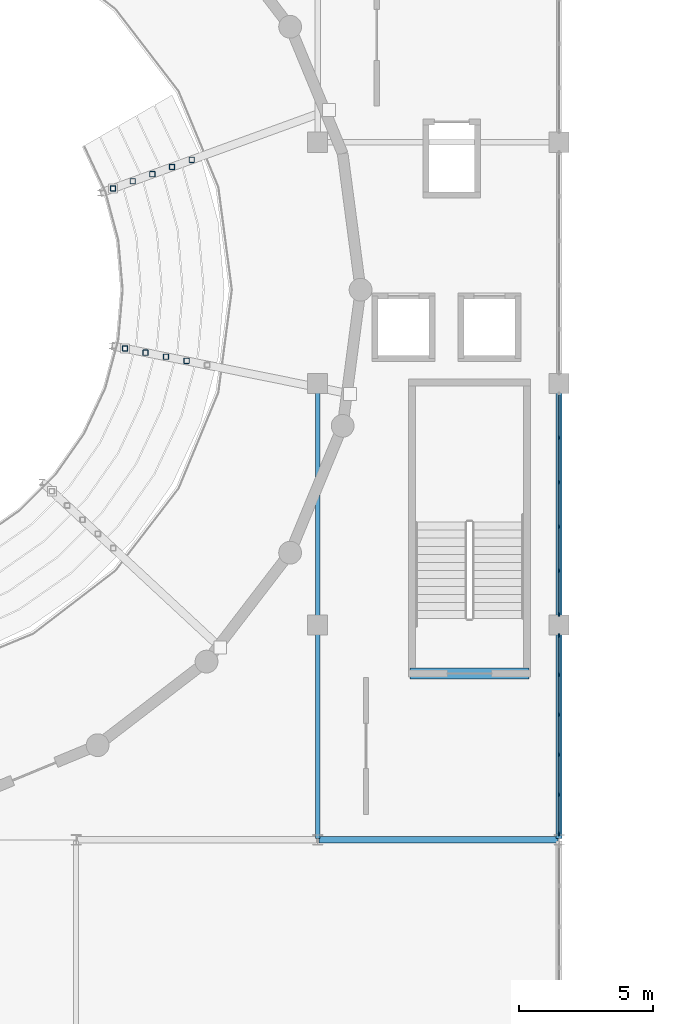
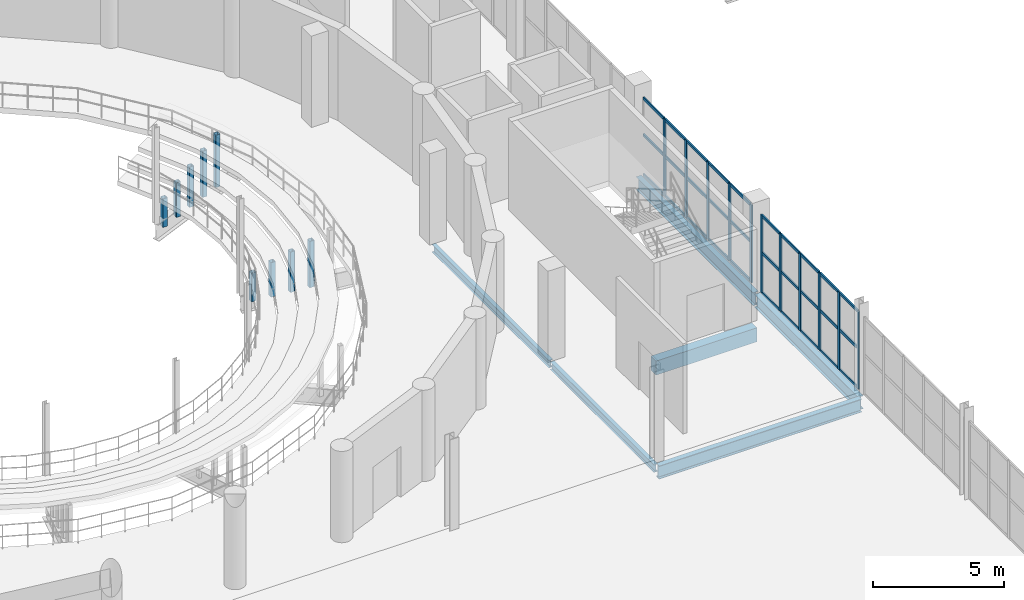
# One storey, part 34 of 85: 50 members, 6 beams, 2 elements without a shape of their own.
"""IFC4 building model written with IfcOpenShell, lengths in metres."""

from ifc_helpers import new_model, si_unit, direction, frame, origin, origin_2d, place, context, subcontext, project, spatial, rectangle, hollow_rectangle, i_section, extrude, material, layer, layer_set, material_profile, profile_set, type_object, element, aggregate, save


model = new_model("IFC4")

# Units and contexts
model_context = context("Model", 3, precision=1e-05, world=origin(), true_north=direction((0.0, 1.0)))
body_context = subcontext(model_context, "Body", "Model", "MODEL_VIEW")
ifc_project = project(units=[si_unit("LENGTHUNIT", "METRE"), si_unit("AREAUNIT", "SQUARE_METRE"), si_unit("VOLUMEUNIT", "CUBIC_METRE"), si_unit("PLANEANGLEUNIT", "RADIAN"), si_unit("MASSUNIT", "GRAM", prefix="KILO")], contexts=[model_context])

# Site, building, storey
site_placement = place(None, origin())
site = spatial("IfcSite", under=ifc_project, at=site_placement, CompositionType="ELEMENT")
building_placement = place(site_placement, origin())
building = spatial("IfcBuilding", under=site, at=building_placement, Name="Marnock Terrace Opera House", CompositionType="ELEMENT")
storey_placement = place(building_placement, frame((0.0, 0.0, 10.199951171875)))
storey = spatial("IfcBuildingStorey", under=building, at=storey_placement, Name="L02", CompositionType="ELEMENT", Elevation=10.199951171875)

# Beams
ifc_material_1 = material(Name="Steel Grade 350 (AS/NZS 3679.1)", Category="steel")
ifc_material_profile_1 = material_profile(ifc_material_1, i_section(OverallWidth=0.1708984375, OverallDepth=0.355712890625, WebThickness=0.00732421875, FlangeThickness=0.011474609375, FilletRadius=0.011474609375, at=origin_2d()))
ifc_profile_set_1 = profile_set([ifc_material_profile_1], Name="Steel Grade 350 (AS/NZS 3679.1)")
beam_type_1 = type_object("IfcBeamType", Name="BM-GIRD-360", PredefinedType="BEAM", material=ifc_profile_set_1)
beam_1_placement = place(storey_placement, frame((100.0, 40.050048828125, -0.437744140625), z_axis=(0.0, 1.0, 0.0), x_axis=(-1.0, 0.0, 0.0)))
element("IfcBeam", 1, at=beam_1_placement, inside=storey, type_object=beam_type_1, Name="L02 girder (X=100.0, 40.0..48.0)", PredefinedType="BEAM", context=body_context, shape_type="SweptSolid", body=[
    extrude(i_section(OverallWidth=0.1708984375, OverallDepth=0.355712890625, WebThickness=0.00732421875, FlangeThickness=0.011474609375, FilletRadius=0.011474609375, at=origin_2d()), origin(), (0.0, 0.0, 1.0), 7.89990234375),
])
beam_2_placement = place(storey_placement, frame((100.0, 48.050048828125, -0.437744140625), z_axis=(0.0, 1.0, 0.0), x_axis=(-1.0, 0.0, 0.0)))
element("IfcBeam", 2, at=beam_2_placement, inside=storey, type_object=beam_type_1, Name="L02 girder (X=100.0, 48.0..57.0)", PredefinedType="BEAM", context=body_context, shape_type="SweptSolid", body=[
    extrude(i_section(OverallWidth=0.1708984375, OverallDepth=0.355712890625, WebThickness=0.00732421875, FlangeThickness=0.011474609375, FilletRadius=0.011474609375, at=origin_2d()), origin(), (0.0, 0.0, 1.0), 8.89990234375),
])
ifc_material_profile_2 = material_profile(ifc_material_1, i_section(OverallWidth=0.22900390625, OverallDepth=0.611572265625, WebThickness=0.011962890625, FlangeThickness=0.01953125, FilletRadius=0.013916015625, at=origin_2d()))
ifc_profile_set_2 = profile_set([ifc_material_profile_2], Name="Steel Grade 350 (AS/NZS 3679.1)")
beam_type_2 = type_object("IfcBeamType", Name="BM-GIRD-610A", PredefinedType="BEAM", material=ifc_profile_set_2)
beam_3_placement = place(storey_placement, frame((100.050048828125, 40.0, -0.565673828125), z_axis=(1.0, 0.0, 0.0), x_axis=(0.0, 1.0, 0.0)))
element("IfcBeam", 3, at=beam_3_placement, inside=storey, type_object=beam_type_2, Name="L02 girder (100.0..109.0, Y=40.0)", PredefinedType="BEAM", context=body_context, shape_type="SweptSolid", body=[
    extrude(i_section(OverallWidth=0.22900390625, OverallDepth=0.611572265625, WebThickness=0.011962890625, FlangeThickness=0.01953125, FilletRadius=0.013916015625, at=origin_2d()), origin(), (0.0, 0.0, 1.0), 8.89990234375),
])
ifc_material_profile_3 = material_profile(ifc_material_1, i_section(OverallWidth=0.22802734375, OverallDepth=0.60205078125, WebThickness=0.010498046875, FlangeThickness=0.014892578125, FilletRadius=0.013916015625, at=origin_2d()))
ifc_profile_set_3 = profile_set([ifc_material_profile_3], Name="Steel Grade 350 (AS/NZS 3679.1)")
beam_type_3 = type_object("IfcBeamType", Name="BM-GIRD-610C", PredefinedType="BEAM", material=ifc_profile_set_3)
beam_4_placement = place(storey_placement, frame((109.0, 40.050048828125, -0.56103515625), z_axis=(0.0, 1.0, 0.0), x_axis=(-1.0, 0.0, 0.0)))
element("IfcBeam", 4, at=beam_4_placement, inside=storey, type_object=beam_type_3, Name="L02 girder (X=109.0, 40.0..48.0)", PredefinedType="BEAM", context=body_context, shape_type="SweptSolid", body=[
    extrude(i_section(OverallWidth=0.22802734375, OverallDepth=0.60205078125, WebThickness=0.010498046875, FlangeThickness=0.014892578125, FilletRadius=0.013916015625, at=origin_2d()), origin(), (0.0, 0.0, 1.0), 7.89990234375),
])
beam_5_placement = place(storey_placement, frame((109.0, 48.050048828125, -0.56103515625), z_axis=(0.0, 1.0, 0.0), x_axis=(-1.0, 0.0, 0.0)))
element("IfcBeam", 5, at=beam_5_placement, inside=storey, type_object=beam_type_3, Name="L02 girder (X=109.0, 48.0..57.0)", PredefinedType="BEAM", context=body_context, shape_type="SweptSolid", body=[
    extrude(i_section(OverallWidth=0.22802734375, OverallDepth=0.60205078125, WebThickness=0.010498046875, FlangeThickness=0.014892578125, FilletRadius=0.013916015625, at=origin_2d()), origin(), (0.0, 0.0, 1.0), 8.89990234375),
])
ifc_material_2 = material(Name="Concrete N40 (f'c = 40 MPa)", Category="concrete")
ifc_material_profile_4 = material_profile(ifc_material_2, rectangle(XDim=0.39990234375, YDim=0.64990234375, at=origin_2d()))
ifc_profile_set_4 = profile_set([ifc_material_profile_4], Name="Concrete N40 (f'c = 40 MPa)")
beam_type_4 = type_object("IfcBeamType", Name="BM-LINT-RC400", PredefinedType="LINTEL", material=ifc_profile_set_4)
beam_6_placement = place(storey_placement, frame((103.43994140625, 46.199951171875, -0.60986328125), z_axis=(1.0, 0.0, 0.0), x_axis=(0.0, 1.0, 0.0)))
element("IfcBeam", 6, at=beam_6_placement, inside=storey, type_object=beam_type_4, Name="L01 Core C2 coupling lintel", PredefinedType="LINTEL", context=body_context, shape_type="SweptSolid", body=[
    extrude(rectangle(XDim=0.39990234375, YDim=0.64990234375, at=origin_2d()), origin(), (0.0, 0.0, 1.0), 4.43994140625),
])

# Curtain wall, members
ifc_material_3 = material(Name="Anodised architectural bronze aluminium framing", Category="aluminium")
ifc_layer_1 = layer(ifc_material_3, 0.159912109375)
ifc_layer_set_1 = layer_set([ifc_layer_1], Name="Anodised architectural bronze aluminium framing")
curtain_wall_type_1 = type_object("IfcCurtainWallType", Name="CW-FOYER-80x42", PredefinedType="NOTDEFINED", material=ifc_layer_set_1)
curtain_wall_1_placement = place(storey_placement, origin())
curtain_wall_1 = element("IfcCurtainWall", 7, at=curtain_wall_1_placement, inside=storey, type_object=curtain_wall_type_1, Name="L02 glazed Beaux-Arts colonnade curtain wall CW-V1E-L02-05", PredefinedType="NOTDEFINED")
ifc_material_profile_5 = material_profile(ifc_material_3, rectangle(XDim=0.06005859375, YDim=0.14990234375, at=origin_2d()))
ifc_profile_set_5 = profile_set([ifc_material_profile_5], Name="Anodised architectural bronze aluminium framing")
member_type_1 = type_object("IfcMemberType", Name="CWM-60x150", PredefinedType="MULLION", material=ifc_profile_set_5)
member_1_placement = place(storey_placement, frame((109.0, 40.22607421875, 0.0), z_axis=(0.0, 0.0, 1.0), x_axis=(-1.0, 0.0, 0.0)))
member_1 = element("IfcMember", 8, at=member_1_placement, type_object=member_type_1, Name="CW-62 mullion 1", PredefinedType="MULLION", context=body_context, shape_type="SweptSolid", body=[
    extrude(rectangle(XDim=0.06005859375, YDim=0.14990234375, at=origin_2d()), origin(), (0.0, 0.0, 1.0), 3.608154296875),
])
member_2_placement = place(storey_placement, frame((109.0, 41.6826171875, 0.0), z_axis=(0.0, 0.0, 1.0), x_axis=(-1.0, 0.0, 0.0)))
member_2 = element("IfcMember", 9, at=member_2_placement, type_object=member_type_1, Name="CW-62 mullion 2", PredefinedType="MULLION", context=body_context, shape_type="SweptSolid", body=[
    extrude(rectangle(XDim=0.06005859375, YDim=0.14990234375, at=origin_2d()), origin(), (0.0, 0.0, 1.0), 3.608154296875),
])
member_3_placement = place(storey_placement, frame((109.0, 43.169189453125, 0.0), z_axis=(0.0, 0.0, 1.0), x_axis=(-1.0, 0.0, 0.0)))
member_3 = element("IfcMember", 10, at=member_3_placement, type_object=member_type_1, Name="CW-62 mullion 3", PredefinedType="MULLION", context=body_context, shape_type="SweptSolid", body=[
    extrude(rectangle(XDim=0.06005859375, YDim=0.14990234375, at=origin_2d()), origin(), (0.0, 0.0, 1.0), 3.608154296875),
])
member_4_placement = place(storey_placement, frame((109.0, 44.65576171875, 0.0), z_axis=(0.0, 0.0, 1.0), x_axis=(-1.0, 0.0, 0.0)))
member_4 = element("IfcMember", 11, at=member_4_placement, type_object=member_type_1, Name="CW-62 mullion 4", PredefinedType="MULLION", context=body_context, shape_type="SweptSolid", body=[
    extrude(rectangle(XDim=0.06005859375, YDim=0.14990234375, at=origin_2d()), origin(), (0.0, 0.0, 1.0), 3.608154296875),
])
member_5_placement = place(storey_placement, frame((109.0, 46.142333984375, 0.0), z_axis=(0.0, 0.0, 1.0), x_axis=(-1.0, 0.0, 0.0)))
member_5 = element("IfcMember", 12, at=member_5_placement, type_object=member_type_1, Name="CW-62 mullion 5", PredefinedType="MULLION", context=body_context, shape_type="SweptSolid", body=[
    extrude(rectangle(XDim=0.06005859375, YDim=0.14990234375, at=origin_2d()), origin(), (0.0, 0.0, 1.0), 3.608154296875),
])
member_6_placement = place(storey_placement, frame((109.0, 47.59912109375, 0.0), z_axis=(0.0, 0.0, 1.0), x_axis=(-1.0, 0.0, 0.0)))
member_6 = element("IfcMember", 13, at=member_6_placement, type_object=member_type_1, Name="CW-62 mullion 6", PredefinedType="MULLION", context=body_context, shape_type="SweptSolid", body=[
    extrude(rectangle(XDim=0.06005859375, YDim=0.14990234375, at=origin_2d()), origin(), (0.0, 0.0, 1.0), 3.608154296875),
])

ifc_layer_2 = layer(ifc_material_3, 0.159912109375)
ifc_layer_set_2 = layer_set([ifc_layer_2], Name="Anodised architectural bronze aluminium framing")
curtain_wall_type_2 = type_object("IfcCurtainWallType", Name="CW-FOYER-90x42", PredefinedType="NOTDEFINED", material=ifc_layer_set_2)
curtain_wall_2_placement = place(storey_placement, origin())
curtain_wall_2 = element("IfcCurtainWall", 14, at=curtain_wall_2_placement, inside=storey, type_object=curtain_wall_type_2, Name="L02 glazed Beaux-Arts colonnade curtain wall CW-V1E-L02-06", PredefinedType="NOTDEFINED")
member_7_placement = place(storey_placement, frame((109.0, 48.40087890625, 0.0), z_axis=(0.0, 0.0, 1.0), x_axis=(-1.0, 0.0, 0.0)))
member_7 = element("IfcMember", 15, at=member_7_placement, type_object=member_type_1, Name="CW-68 mullion 1", PredefinedType="MULLION", context=body_context, shape_type="SweptSolid", body=[
    extrude(rectangle(XDim=0.06005859375, YDim=0.14990234375, at=origin_2d()), origin(), (0.0, 0.0, 1.0), 3.608154296875),
])
member_8_placement = place(storey_placement, frame((109.0, 50.022705078125, 0.0), z_axis=(0.0, 0.0, 1.0), x_axis=(-1.0, 0.0, 0.0)))
member_8 = element("IfcMember", 16, at=member_8_placement, type_object=member_type_1, Name="CW-68 mullion 2", PredefinedType="MULLION", context=body_context, shape_type="SweptSolid", body=[
    extrude(rectangle(XDim=0.06005859375, YDim=0.14990234375, at=origin_2d()), origin(), (0.0, 0.0, 1.0), 3.608154296875),
])
member_9_placement = place(storey_placement, frame((109.0, 51.67431640625, 0.0), z_axis=(0.0, 0.0, 1.0), x_axis=(-1.0, 0.0, 0.0)))
member_9 = element("IfcMember", 17, at=member_9_placement, type_object=member_type_1, Name="CW-68 mullion 3", PredefinedType="MULLION", context=body_context, shape_type="SweptSolid", body=[
    extrude(rectangle(XDim=0.06005859375, YDim=0.14990234375, at=origin_2d()), origin(), (0.0, 0.0, 1.0), 3.608154296875),
])
member_10_placement = place(storey_placement, frame((109.0, 53.32568359375, 0.0), z_axis=(0.0, 0.0, 1.0), x_axis=(-1.0, 0.0, 0.0)))
member_10 = element("IfcMember", 18, at=member_10_placement, type_object=member_type_1, Name="CW-68 mullion 4", PredefinedType="MULLION", context=body_context, shape_type="SweptSolid", body=[
    extrude(rectangle(XDim=0.06005859375, YDim=0.14990234375, at=origin_2d()), origin(), (0.0, 0.0, 1.0), 3.608154296875),
])
member_11_placement = place(storey_placement, frame((109.0, 54.977294921875, 0.0), z_axis=(0.0, 0.0, 1.0), x_axis=(-1.0, 0.0, 0.0)))
member_11 = element("IfcMember", 19, at=member_11_placement, type_object=member_type_1, Name="CW-68 mullion 5", PredefinedType="MULLION", context=body_context, shape_type="SweptSolid", body=[
    extrude(rectangle(XDim=0.06005859375, YDim=0.14990234375, at=origin_2d()), origin(), (0.0, 0.0, 1.0), 3.608154296875),
])

# Member
ifc_material_profile_6 = material_profile(ifc_material_3, rectangle(XDim=0.06005859375, YDim=0.1298828125, at=origin_2d()))
ifc_profile_set_6 = profile_set([ifc_material_profile_6], Name="Anodised architectural bronze aluminium framing")
member_type_2 = type_object("IfcMemberType", Name="CWT-60x130", PredefinedType="USERDEFINED", material=ifc_profile_set_6)
member_12_placement = place(storey_placement, frame((109.0, 40.256103515625, 0.030029296875), z_axis=(0.0, 1.0, 0.0), x_axis=(-1.0, 0.0, 0.0)))
member_12 = element("IfcMember", 20, at=member_12_placement, type_object=member_type_2, Name="CW-62 transom 1.1", ObjectType="TRANSOM", PredefinedType="USERDEFINED", context=body_context, shape_type="SweptSolid", body=[
    extrude(rectangle(XDim=0.06005859375, YDim=0.1298828125, at=origin_2d()), origin(), (0.0, 0.0, 1.0), 1.396484375),
])

member_13_placement = place(storey_placement, frame((109.0, 40.256103515625, 1.876220703125), z_axis=(0.0, 1.0, 0.0), x_axis=(-1.0, 0.0, 0.0)))
member_13 = element("IfcMember", 21, at=member_13_placement, type_object=member_type_2, Name="CW-62 transom 1.2", ObjectType="TRANSOM", PredefinedType="USERDEFINED", context=body_context, shape_type="SweptSolid", body=[
    extrude(rectangle(XDim=0.06005859375, YDim=0.1298828125, at=origin_2d()), origin(), (0.0, 0.0, 1.0), 1.396484375),
])

member_14_placement = place(storey_placement, frame((109.0, 40.256103515625, 3.578125), z_axis=(0.0, 1.0, 0.0), x_axis=(-1.0, 0.0, 0.0)))
member_14 = element("IfcMember", 22, at=member_14_placement, type_object=member_type_2, Name="CW-62 transom 1.3", ObjectType="TRANSOM", PredefinedType="USERDEFINED", context=body_context, shape_type="SweptSolid", body=[
    extrude(rectangle(XDim=0.06005859375, YDim=0.1298828125, at=origin_2d()), origin(), (0.0, 0.0, 1.0), 1.396484375),
])

member_15_placement = place(storey_placement, frame((109.0, 41.712646484375, 0.030029296875), z_axis=(0.0, 1.0, 0.0), x_axis=(-1.0, 0.0, 0.0)))
member_15 = element("IfcMember", 23, at=member_15_placement, type_object=member_type_2, Name="CW-62 transom 2.1", ObjectType="TRANSOM", PredefinedType="USERDEFINED", context=body_context, shape_type="SweptSolid", body=[
    extrude(rectangle(XDim=0.06005859375, YDim=0.1298828125, at=origin_2d()), origin(), (0.0, 0.0, 1.0), 1.426513671875),
])

member_16_placement = place(storey_placement, frame((109.0, 41.712646484375, 1.876220703125), z_axis=(0.0, 1.0, 0.0), x_axis=(-1.0, 0.0, 0.0)))
member_16 = element("IfcMember", 24, at=member_16_placement, type_object=member_type_2, Name="CW-62 transom 2.2", ObjectType="TRANSOM", PredefinedType="USERDEFINED", context=body_context, shape_type="SweptSolid", body=[
    extrude(rectangle(XDim=0.06005859375, YDim=0.1298828125, at=origin_2d()), origin(), (0.0, 0.0, 1.0), 1.426513671875),
])

member_17_placement = place(storey_placement, frame((109.0, 41.712646484375, 3.578125), z_axis=(0.0, 1.0, 0.0), x_axis=(-1.0, 0.0, 0.0)))
member_17 = element("IfcMember", 25, at=member_17_placement, type_object=member_type_2, Name="CW-62 transom 2.3", ObjectType="TRANSOM", PredefinedType="USERDEFINED", context=body_context, shape_type="SweptSolid", body=[
    extrude(rectangle(XDim=0.06005859375, YDim=0.1298828125, at=origin_2d()), origin(), (0.0, 0.0, 1.0), 1.426513671875),
])

member_18_placement = place(storey_placement, frame((109.0, 43.19921875, 0.030029296875), z_axis=(0.0, 1.0, 0.0), x_axis=(-1.0, 0.0, 0.0)))
member_18 = element("IfcMember", 26, at=member_18_placement, type_object=member_type_2, Name="CW-62 transom 3.1", ObjectType="TRANSOM", PredefinedType="USERDEFINED", context=body_context, shape_type="SweptSolid", body=[
    extrude(rectangle(XDim=0.06005859375, YDim=0.1298828125, at=origin_2d()), origin(), (0.0, 0.0, 1.0), 1.426513671875),
])

member_19_placement = place(storey_placement, frame((109.0, 43.19921875, 1.876220703125), z_axis=(0.0, 1.0, 0.0), x_axis=(-1.0, 0.0, 0.0)))
member_19 = element("IfcMember", 27, at=member_19_placement, type_object=member_type_2, Name="CW-62 transom 3.2", ObjectType="TRANSOM", PredefinedType="USERDEFINED", context=body_context, shape_type="SweptSolid", body=[
    extrude(rectangle(XDim=0.06005859375, YDim=0.1298828125, at=origin_2d()), origin(), (0.0, 0.0, 1.0), 1.426513671875),
])

member_20_placement = place(storey_placement, frame((109.0, 43.19921875, 3.578125), z_axis=(0.0, 1.0, 0.0), x_axis=(-1.0, 0.0, 0.0)))
member_20 = element("IfcMember", 28, at=member_20_placement, type_object=member_type_2, Name="CW-62 transom 3.3", ObjectType="TRANSOM", PredefinedType="USERDEFINED", context=body_context, shape_type="SweptSolid", body=[
    extrude(rectangle(XDim=0.06005859375, YDim=0.1298828125, at=origin_2d()), origin(), (0.0, 0.0, 1.0), 1.426513671875),
])

member_21_placement = place(storey_placement, frame((109.0, 44.685791015625, 0.030029296875), z_axis=(0.0, 1.0, 0.0), x_axis=(-1.0, 0.0, 0.0)))
member_21 = element("IfcMember", 29, at=member_21_placement, type_object=member_type_2, Name="CW-62 transom 4.1", ObjectType="TRANSOM", PredefinedType="USERDEFINED", context=body_context, shape_type="SweptSolid", body=[
    extrude(rectangle(XDim=0.06005859375, YDim=0.1298828125, at=origin_2d()), origin(), (0.0, 0.0, 1.0), 1.426513671875),
])

member_22_placement = place(storey_placement, frame((109.0, 44.685791015625, 1.876220703125), z_axis=(0.0, 1.0, 0.0), x_axis=(-1.0, 0.0, 0.0)))
member_22 = element("IfcMember", 30, at=member_22_placement, type_object=member_type_2, Name="CW-62 transom 4.2", ObjectType="TRANSOM", PredefinedType="USERDEFINED", context=body_context, shape_type="SweptSolid", body=[
    extrude(rectangle(XDim=0.06005859375, YDim=0.1298828125, at=origin_2d()), origin(), (0.0, 0.0, 1.0), 1.426513671875),
])

member_23_placement = place(storey_placement, frame((109.0, 44.685791015625, 3.578125), z_axis=(0.0, 1.0, 0.0), x_axis=(-1.0, 0.0, 0.0)))
member_23 = element("IfcMember", 31, at=member_23_placement, type_object=member_type_2, Name="CW-62 transom 4.3", ObjectType="TRANSOM", PredefinedType="USERDEFINED", context=body_context, shape_type="SweptSolid", body=[
    extrude(rectangle(XDim=0.06005859375, YDim=0.1298828125, at=origin_2d()), origin(), (0.0, 0.0, 1.0), 1.426513671875),
])

member_24_placement = place(storey_placement, frame((109.0, 46.17236328125, 0.030029296875), z_axis=(0.0, 1.0, 0.0), x_axis=(-1.0, 0.0, 0.0)))
member_24 = element("IfcMember", 32, at=member_24_placement, type_object=member_type_2, Name="CW-62 transom 5.1", ObjectType="TRANSOM", PredefinedType="USERDEFINED", context=body_context, shape_type="SweptSolid", body=[
    extrude(rectangle(XDim=0.06005859375, YDim=0.1298828125, at=origin_2d()), origin(), (0.0, 0.0, 1.0), 1.396728515625),
])

member_25_placement = place(storey_placement, frame((109.0, 46.17236328125, 1.876220703125), z_axis=(0.0, 1.0, 0.0), x_axis=(-1.0, 0.0, 0.0)))
member_25 = element("IfcMember", 33, at=member_25_placement, type_object=member_type_2, Name="CW-62 transom 5.2", ObjectType="TRANSOM", PredefinedType="USERDEFINED", context=body_context, shape_type="SweptSolid", body=[
    extrude(rectangle(XDim=0.06005859375, YDim=0.1298828125, at=origin_2d()), origin(), (0.0, 0.0, 1.0), 1.396728515625),
])

member_26_placement = place(storey_placement, frame((109.0, 46.17236328125, 3.578125), z_axis=(0.0, 1.0, 0.0), x_axis=(-1.0, 0.0, 0.0)))
member_26 = element("IfcMember", 34, at=member_26_placement, type_object=member_type_2, Name="CW-62 transom 5.3", ObjectType="TRANSOM", PredefinedType="USERDEFINED", context=body_context, shape_type="SweptSolid", body=[
    extrude(rectangle(XDim=0.06005859375, YDim=0.1298828125, at=origin_2d()), origin(), (0.0, 0.0, 1.0), 1.396728515625),
])

aggregate(curtain_wall_1, [member_1, member_2, member_3, member_4, member_5, member_6, member_12, member_13, member_14, member_15, member_16, member_17, member_18, member_19, member_20, member_21, member_22, member_23, member_24, member_25, member_26])

member_27_placement = place(storey_placement, frame((109.0, 48.430908203125, 0.030029296875), z_axis=(0.0, 1.0, 0.0), x_axis=(-1.0, 0.0, 0.0)))
member_27 = element("IfcMember", 35, at=member_27_placement, type_object=member_type_2, Name="CW-68 transom 1.1", ObjectType="TRANSOM", PredefinedType="USERDEFINED", context=body_context, shape_type="SweptSolid", body=[
    extrude(rectangle(XDim=0.06005859375, YDim=0.1298828125, at=origin_2d()), origin(), (0.0, 0.0, 1.0), 1.561767578125),
])

member_28_placement = place(storey_placement, frame((109.0, 48.430908203125, 1.876220703125), z_axis=(0.0, 1.0, 0.0), x_axis=(-1.0, 0.0, 0.0)))
member_28 = element("IfcMember", 36, at=member_28_placement, type_object=member_type_2, Name="CW-68 transom 1.2", ObjectType="TRANSOM", PredefinedType="USERDEFINED", context=body_context, shape_type="SweptSolid", body=[
    extrude(rectangle(XDim=0.06005859375, YDim=0.1298828125, at=origin_2d()), origin(), (0.0, 0.0, 1.0), 1.561767578125),
])

member_29_placement = place(storey_placement, frame((109.0, 48.430908203125, 3.578125), z_axis=(0.0, 1.0, 0.0), x_axis=(-1.0, 0.0, 0.0)))
member_29 = element("IfcMember", 37, at=member_29_placement, type_object=member_type_2, Name="CW-68 transom 1.3", ObjectType="TRANSOM", PredefinedType="USERDEFINED", context=body_context, shape_type="SweptSolid", body=[
    extrude(rectangle(XDim=0.06005859375, YDim=0.1298828125, at=origin_2d()), origin(), (0.0, 0.0, 1.0), 1.561767578125),
])

member_30_placement = place(storey_placement, frame((109.0, 50.052490234375, 0.030029296875), z_axis=(0.0, 1.0, 0.0), x_axis=(-1.0, 0.0, 0.0)))
member_30 = element("IfcMember", 38, at=member_30_placement, type_object=member_type_2, Name="CW-68 transom 2.1", ObjectType="TRANSOM", PredefinedType="USERDEFINED", context=body_context, shape_type="SweptSolid", body=[
    extrude(rectangle(XDim=0.06005859375, YDim=0.1298828125, at=origin_2d()), origin(), (0.0, 0.0, 1.0), 1.591796875),
])

member_31_placement = place(storey_placement, frame((109.0, 50.052490234375, 1.876220703125), z_axis=(0.0, 1.0, 0.0), x_axis=(-1.0, 0.0, 0.0)))
member_31 = element("IfcMember", 39, at=member_31_placement, type_object=member_type_2, Name="CW-68 transom 2.2", ObjectType="TRANSOM", PredefinedType="USERDEFINED", context=body_context, shape_type="SweptSolid", body=[
    extrude(rectangle(XDim=0.06005859375, YDim=0.1298828125, at=origin_2d()), origin(), (0.0, 0.0, 1.0), 1.591796875),
])

member_32_placement = place(storey_placement, frame((109.0, 50.052490234375, 3.578125), z_axis=(0.0, 1.0, 0.0), x_axis=(-1.0, 0.0, 0.0)))
member_32 = element("IfcMember", 40, at=member_32_placement, type_object=member_type_2, Name="CW-68 transom 2.3", ObjectType="TRANSOM", PredefinedType="USERDEFINED", context=body_context, shape_type="SweptSolid", body=[
    extrude(rectangle(XDim=0.06005859375, YDim=0.1298828125, at=origin_2d()), origin(), (0.0, 0.0, 1.0), 1.591796875),
])

member_33_placement = place(storey_placement, frame((109.0, 51.7041015625, 0.030029296875), z_axis=(0.0, 1.0, 0.0), x_axis=(-1.0, 0.0, 0.0)))
member_33 = element("IfcMember", 41, at=member_33_placement, type_object=member_type_2, Name="CW-68 transom 3.1", ObjectType="TRANSOM", PredefinedType="USERDEFINED", context=body_context, shape_type="SweptSolid", body=[
    extrude(rectangle(XDim=0.06005859375, YDim=0.1298828125, at=origin_2d()), origin(), (0.0, 0.0, 1.0), 1.591796875),
])

member_34_placement = place(storey_placement, frame((109.0, 51.7041015625, 1.876220703125), z_axis=(0.0, 1.0, 0.0), x_axis=(-1.0, 0.0, 0.0)))
member_34 = element("IfcMember", 42, at=member_34_placement, type_object=member_type_2, Name="CW-68 transom 3.2", ObjectType="TRANSOM", PredefinedType="USERDEFINED", context=body_context, shape_type="SweptSolid", body=[
    extrude(rectangle(XDim=0.06005859375, YDim=0.1298828125, at=origin_2d()), origin(), (0.0, 0.0, 1.0), 1.591796875),
])

member_35_placement = place(storey_placement, frame((109.0, 51.7041015625, 3.578125), z_axis=(0.0, 1.0, 0.0), x_axis=(-1.0, 0.0, 0.0)))
member_35 = element("IfcMember", 43, at=member_35_placement, type_object=member_type_2, Name="CW-68 transom 3.3", ObjectType="TRANSOM", PredefinedType="USERDEFINED", context=body_context, shape_type="SweptSolid", body=[
    extrude(rectangle(XDim=0.06005859375, YDim=0.1298828125, at=origin_2d()), origin(), (0.0, 0.0, 1.0), 1.591796875),
])

member_36_placement = place(storey_placement, frame((109.0, 53.355712890625, 0.030029296875), z_axis=(0.0, 1.0, 0.0), x_axis=(-1.0, 0.0, 0.0)))
member_36 = element("IfcMember", 44, at=member_36_placement, type_object=member_type_2, Name="CW-68 transom 4.1", ObjectType="TRANSOM", PredefinedType="USERDEFINED", context=body_context, shape_type="SweptSolid", body=[
    extrude(rectangle(XDim=0.06005859375, YDim=0.1298828125, at=origin_2d()), origin(), (0.0, 0.0, 1.0), 1.591796875),
])

member_37_placement = place(storey_placement, frame((109.0, 53.355712890625, 1.876220703125), z_axis=(0.0, 1.0, 0.0), x_axis=(-1.0, 0.0, 0.0)))
member_37 = element("IfcMember", 45, at=member_37_placement, type_object=member_type_2, Name="CW-68 transom 4.2", ObjectType="TRANSOM", PredefinedType="USERDEFINED", context=body_context, shape_type="SweptSolid", body=[
    extrude(rectangle(XDim=0.06005859375, YDim=0.1298828125, at=origin_2d()), origin(), (0.0, 0.0, 1.0), 1.591796875),
])

member_38_placement = place(storey_placement, frame((109.0, 53.355712890625, 3.578125), z_axis=(0.0, 1.0, 0.0), x_axis=(-1.0, 0.0, 0.0)))
member_38 = element("IfcMember", 46, at=member_38_placement, type_object=member_type_2, Name="CW-68 transom 4.3", ObjectType="TRANSOM", PredefinedType="USERDEFINED", context=body_context, shape_type="SweptSolid", body=[
    extrude(rectangle(XDim=0.06005859375, YDim=0.1298828125, at=origin_2d()), origin(), (0.0, 0.0, 1.0), 1.591796875),
])

member_39_placement = place(storey_placement, frame((109.0, 55.00732421875, 0.030029296875), z_axis=(0.0, 1.0, 0.0), x_axis=(-1.0, 0.0, 0.0)))
member_39 = element("IfcMember", 47, at=member_39_placement, type_object=member_type_2, Name="CW-68 transom 5.1", ObjectType="TRANSOM", PredefinedType="USERDEFINED", context=body_context, shape_type="SweptSolid", body=[
    extrude(rectangle(XDim=0.06005859375, YDim=0.1298828125, at=origin_2d()), origin(), (0.0, 0.0, 1.0), 1.561767578125),
])

member_40_placement = place(storey_placement, frame((109.0, 55.00732421875, 1.876220703125), z_axis=(0.0, 1.0, 0.0), x_axis=(-1.0, 0.0, 0.0)))
member_40 = element("IfcMember", 48, at=member_40_placement, type_object=member_type_2, Name="CW-68 transom 5.2", ObjectType="TRANSOM", PredefinedType="USERDEFINED", context=body_context, shape_type="SweptSolid", body=[
    extrude(rectangle(XDim=0.06005859375, YDim=0.1298828125, at=origin_2d()), origin(), (0.0, 0.0, 1.0), 1.561767578125),
])

member_41_placement = place(storey_placement, frame((109.0, 55.00732421875, 3.578125), z_axis=(0.0, 1.0, 0.0), x_axis=(-1.0, 0.0, 0.0)))
member_41 = element("IfcMember", 49, at=member_41_placement, type_object=member_type_2, Name="CW-68 transom 5.3", ObjectType="TRANSOM", PredefinedType="USERDEFINED", context=body_context, shape_type="SweptSolid", body=[
    extrude(rectangle(XDim=0.06005859375, YDim=0.1298828125, at=origin_2d()), origin(), (0.0, 0.0, 1.0), 1.561767578125),
])

aggregate(curtain_wall_2, [member_7, member_8, member_9, member_10, member_11, member_27, member_28, member_29, member_30, member_31, member_32, member_33, member_34, member_35, member_36, member_37, member_38, member_39, member_40, member_41])

# Members
ifc_material_4 = material(Name="Cold-formed Steel Grade C350L0 (AS/NZS 1163)", Category="steel")
ifc_material_profile_7 = material_profile(ifc_material_4, hollow_rectangle(XDim=0.199951171875, YDim=0.199951171875, WallThickness=0.009033203125, InnerFilletRadius=0.009033203125, OuterFilletRadius=0.01806640625, at=origin_2d()))
ifc_profile_set_7 = profile_set([ifc_material_profile_7], Name="Cold-formed Steel Grade C350L0 (AS/NZS 1163)")
member_type_3 = type_object("IfcMemberType", Name="MEM-TRUSS-WEB2", PredefinedType="BRACE", material=ifc_profile_set_7)
member_42_placement = place(storey_placement, frame((92.821044921875, 58.3125, -1.1904296875), z_axis=(0.0, 0.0, 1.0), x_axis=(1.0, 0.0, 0.0)))
element("IfcMember", 50, at=member_42_placement, inside=storey, type_object=member_type_3, Name="L02 Auditorium tier support post 7.1", PredefinedType="BRACE", context=body_context, shape_type="SweptSolid", body=[
    extrude(hollow_rectangle(XDim=0.199951171875, YDim=0.199951171875, WallThickness=0.009033203125, InnerFilletRadius=0.009033203125, OuterFilletRadius=0.01806640625, at=origin_2d()), origin(), (0.0, 0.0, 1.0), 1.325439453125),
])
member_43_placement = place(storey_placement, frame((93.585693359375, 58.157958984375, -1.146240234375), z_axis=(0.0, 0.0, 1.0), x_axis=(1.0, 0.0, 0.0)))
element("IfcMember", 51, at=member_43_placement, inside=storey, type_object=member_type_3, Name="L02 Auditorium tier support post 7.2", PredefinedType="BRACE", context=body_context, shape_type="SweptSolid", body=[
    extrude(hollow_rectangle(XDim=0.199951171875, YDim=0.199951171875, WallThickness=0.009033203125, InnerFilletRadius=0.009033203125, OuterFilletRadius=0.01806640625, at=origin_2d()), origin(), (0.0, 0.0, 1.0), 1.601318359375),
])
member_44_placement = place(storey_placement, frame((94.35009765625, 58.00341796875, -1.1025390625), z_axis=(0.0, 0.0, 1.0), x_axis=(1.0, 0.0, 0.0)))
element("IfcMember", 52, at=member_44_placement, inside=storey, type_object=member_type_3, Name="L02 Auditorium tier support post 7.3", PredefinedType="BRACE", context=body_context, shape_type="SweptSolid", body=[
    extrude(hollow_rectangle(XDim=0.199951171875, YDim=0.199951171875, WallThickness=0.009033203125, InnerFilletRadius=0.009033203125, OuterFilletRadius=0.01806640625, at=origin_2d()), origin(), (0.0, 0.0, 1.0), 1.877685546875),
])
member_45_placement = place(storey_placement, frame((95.11474609375, 57.848876953125, -1.058349609375), z_axis=(0.0, 0.0, 1.0), x_axis=(1.0, 0.0, 0.0)))
element("IfcMember", 53, at=member_45_placement, inside=storey, type_object=member_type_3, Name="L02 Auditorium tier support post 7.4", PredefinedType="BRACE", context=body_context, shape_type="SweptSolid", body=[
    extrude(hollow_rectangle(XDim=0.199951171875, YDim=0.199951171875, WallThickness=0.009033203125, InnerFilletRadius=0.009033203125, OuterFilletRadius=0.01806640625, at=origin_2d()), origin(), (0.0, 0.0, 1.0), 2.1533203125),
])
member_46_placement = place(storey_placement, frame((92.374267578125, 64.27587890625, -1.1904296875), z_axis=(0.0, 0.0, 1.0), x_axis=(1.0, 0.0, 0.0)))
element("IfcMember", 54, at=member_46_placement, inside=storey, type_object=member_type_3, Name="L02 Auditorium tier support post 8.1", PredefinedType="BRACE", context=body_context, shape_type="SweptSolid", body=[
    extrude(hollow_rectangle(XDim=0.199951171875, YDim=0.199951171875, WallThickness=0.009033203125, InnerFilletRadius=0.009033203125, OuterFilletRadius=0.01806640625, at=origin_2d()), origin(), (0.0, 0.0, 1.0), 1.325439453125),
])
member_47_placement = place(storey_placement, frame((93.107177734375, 64.542724609375, -1.146240234375), z_axis=(0.0, 0.0, 1.0), x_axis=(1.0, 0.0, 0.0)))
element("IfcMember", 55, at=member_47_placement, inside=storey, type_object=member_type_3, Name="L02 Auditorium tier support post 8.2", PredefinedType="BRACE", context=body_context, shape_type="SweptSolid", body=[
    extrude(hollow_rectangle(XDim=0.199951171875, YDim=0.199951171875, WallThickness=0.009033203125, InnerFilletRadius=0.009033203125, OuterFilletRadius=0.01806640625, at=origin_2d()), origin(), (0.0, 0.0, 1.0), 1.601318359375),
])
member_48_placement = place(storey_placement, frame((93.840087890625, 64.8095703125, -1.1025390625), z_axis=(0.0, 0.0, 1.0), x_axis=(1.0, 0.0, 0.0)))
element("IfcMember", 56, at=member_48_placement, inside=storey, type_object=member_type_3, Name="L02 Auditorium tier support post 8.3", PredefinedType="BRACE", context=body_context, shape_type="SweptSolid", body=[
    extrude(hollow_rectangle(XDim=0.199951171875, YDim=0.199951171875, WallThickness=0.009033203125, InnerFilletRadius=0.009033203125, OuterFilletRadius=0.01806640625, at=origin_2d()), origin(), (0.0, 0.0, 1.0), 1.877685546875),
])
member_49_placement = place(storey_placement, frame((94.572998046875, 65.076171875, -1.058349609375), z_axis=(0.0, 0.0, 1.0), x_axis=(1.0, 0.0, 0.0)))
element("IfcMember", 57, at=member_49_placement, inside=storey, type_object=member_type_3, Name="L02 Auditorium tier support post 8.4", PredefinedType="BRACE", context=body_context, shape_type="SweptSolid", body=[
    extrude(hollow_rectangle(XDim=0.199951171875, YDim=0.199951171875, WallThickness=0.009033203125, InnerFilletRadius=0.009033203125, OuterFilletRadius=0.01806640625, at=origin_2d()), origin(), (0.0, 0.0, 1.0), 2.1533203125),
])
member_50_placement = place(storey_placement, frame((95.305908203125, 65.343017578125, -1.0146484375), z_axis=(0.0, 0.0, 1.0), x_axis=(1.0, 0.0, 0.0)))
element("IfcMember", 58, at=member_50_placement, inside=storey, type_object=member_type_3, Name="L02 Auditorium tier support post 8.5", PredefinedType="BRACE", context=body_context, shape_type="SweptSolid", body=[
    extrude(hollow_rectangle(XDim=0.199951171875, YDim=0.199951171875, WallThickness=0.009033203125, InnerFilletRadius=0.009033203125, OuterFilletRadius=0.01806640625, at=origin_2d()), origin(), (0.0, 0.0, 1.0), 2.4296875),
])

save(model, "model.ifc")
